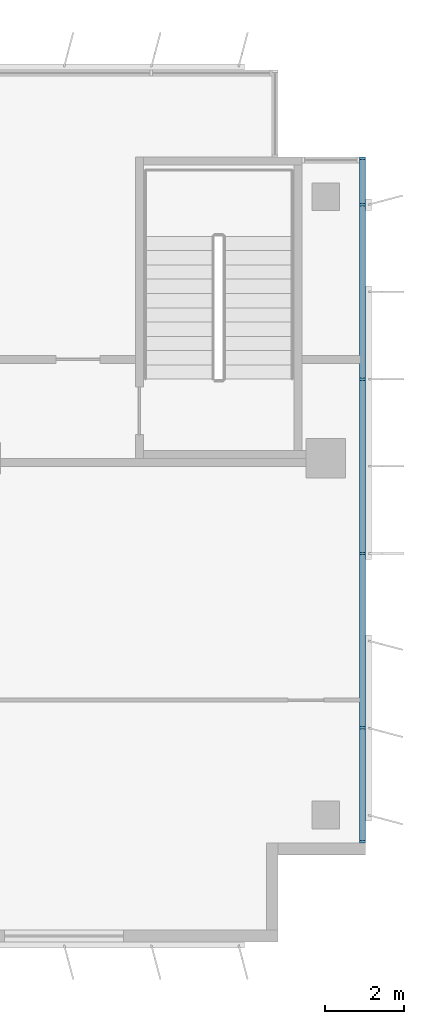
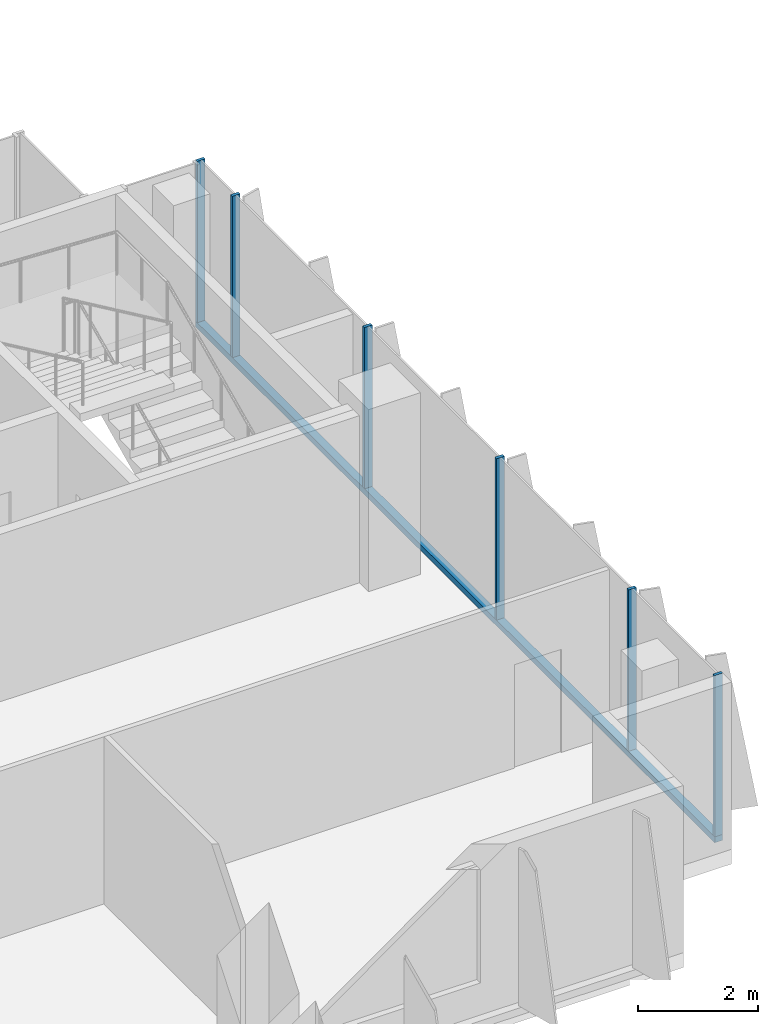
# One storey, part 8 of 21: 7 members, 1 element without a shape of its own.
"""IFC4 building model written with IfcOpenShell, lengths in metres."""

from ifc_helpers import new_model, si_unit, direction, frame, origin, origin_2d, place, context, subcontext, project, spatial, rectangle, extrude, source, transform, mapped, material, material_profile, profile_set, type_object, element, aggregate, save


model = new_model("IFC4")

# Units and contexts
model_context = context("Model", 3, precision=1e-05, world=origin(), true_north=direction((0.0, 1.0)))
body_context = subcontext(model_context, "Body", "Model", "MODEL_VIEW")
ifc_project = project(units=[si_unit("LENGTHUNIT", "METRE"), si_unit("AREAUNIT", "SQUARE_METRE"), si_unit("VOLUMEUNIT", "CUBIC_METRE"), si_unit("PLANEANGLEUNIT", "RADIAN"), si_unit("MASSUNIT", "GRAM", prefix="KILO")], contexts=[model_context])

# Site, building, storey
site_placement = place(None, origin())
site = spatial("IfcSite", under=ifc_project, at=site_placement, CompositionType="ELEMENT")
building_placement = place(site_placement, origin())
building = spatial("IfcBuilding", under=site, at=building_placement, Name="Kemantara Hotel Tower", CompositionType="ELEMENT")
storey_placement = place(building_placement, frame((0.0, 0.0, 175.300048828125)))
storey = spatial("IfcBuildingStorey", under=building, at=storey_placement, Name="L43", CompositionType="ELEMENT", Elevation=175.300048828125)

# Curtain wall, members
ifc_material_1 = material(Name="Low-E tinted double insulated glass 36 mm", Category="glass")
curtain_wall_type = type_object("IfcCurtainWallType", Name="TOWER CURTAIN WALL, FRONT FACES", PredefinedType="USERDEFINED", material=ifc_material_1)
curtain_wall_placement = place(storey_placement, origin())
curtain_wall = element("IfcCurtainWall", 1, at=curtain_wall_placement, inside=storey, type_object=curtain_wall_type, Name="CW4 L43 T3-R11-1", ObjectType="TOWER CURTAIN WALL, FRONT FACES", PredefinedType="USERDEFINED")
ifc_material_2 = material(Name="Aluminium 6063-T6 bronze anodised", Category="aluminium")
ifc_material_profile_1 = material_profile(ifc_material_2, rectangle(XDim=0.14990234375, YDim=0.1201171875, at=origin_2d()), Name="TOWER CURTAIN WALL, FRONT FACES TRANSOM")
ifc_profile_set_1 = profile_set([ifc_material_profile_1], Name="Aluminium 6063-T6 bronze anodised")
member_type_1 = type_object("IfcMemberType", Name="TOWER CURTAIN WALL, FRONT FACES TRANSOM", PredefinedType="USERDEFINED", material=ifc_profile_set_1)
member_1_placement = place(storey_placement, frame((63.52490234375, 2.5, 0.06005859375), z_axis=(0.0, 1.0, 0.0), x_axis=(-1.0, 0.0, 0.0)))
member_1 = element("IfcMember", 2, at=member_1_placement, type_object=member_type_1, Name="CW4 sill transom T3-R11-1", ObjectType="TRANSOM", PredefinedType="USERDEFINED", context=body_context, shape_type="SweptSolid", body=[
    extrude(rectangle(XDim=0.14990234375, YDim=0.1201171875, at=origin_2d()), origin(), (0.0, 0.0, 1.0), 17.300048828125),
])
ifc_material_profile_2 = material_profile(ifc_material_2, rectangle(XDim=0.14990234375, YDim=0.06005859375, at=origin_2d()), Name="TOWER CURTAIN WALL, FRONT FACES MULLION")
ifc_profile_set_2 = profile_set([ifc_material_profile_2], Name="Aluminium 6063-T6 bronze anodised")
member_type_2 = type_object("IfcMemberType", Name="TOWER CURTAIN WALL, FRONT FACES MULLION", PredefinedType="MULLION", material=ifc_profile_set_2)
shared_shape = source(origin(), body_context, "Body", "SweptSolid", [
    extrude(rectangle(XDim=0.14990234375, YDim=0.06005859375, at=origin_2d()), origin(), (0.0, 0.0, 1.0), 3.280029296875),
])
member_2_placement = place(storey_placement, frame((63.52490234375, 2.530029296875, 0.119873046875), z_axis=(0.0, 0.0, 1.0), x_axis=(-1.0, 0.0, 0.0)))
member_2 = element("IfcMember", 3, at=member_2_placement, type_object=member_type_2, Name="CW4 mullion T3-R11-1.1", PredefinedType="MULLION", context=body_context, shape_type="MappedRepresentation", body=[
    mapped(shared_shape, transform((0.0, 0.0, 0.0))),
])
member_3_placement = place(storey_placement, frame((63.52490234375, 5.39990234375, 0.119873046875), z_axis=(0.0, 0.0, 1.0), x_axis=(-1.0, 0.0, 0.0)))
member_3 = element("IfcMember", 4, at=member_3_placement, type_object=member_type_2, Name="CW4 mullion T3-R11-1.2", PredefinedType="MULLION", context=body_context, shape_type="MappedRepresentation", body=[
    mapped(shared_shape, transform((0.0, 0.0, 0.0))),
])
member_4_placement = place(storey_placement, frame((63.52490234375, 9.800048828125, 0.119873046875), z_axis=(0.0, 0.0, 1.0), x_axis=(-1.0, 0.0, 0.0)))
member_4 = element("IfcMember", 5, at=member_4_placement, type_object=member_type_2, Name="CW4 mullion T3-R11-1.3", PredefinedType="MULLION", context=body_context, shape_type="MappedRepresentation", body=[
    mapped(shared_shape, transform((0.0, 0.0, 0.0))),
])
member_5_placement = place(storey_placement, frame((63.52490234375, 14.199951171875, 0.119873046875), z_axis=(0.0, 0.0, 1.0), x_axis=(-1.0, 0.0, 0.0)))
member_5 = element("IfcMember", 6, at=member_5_placement, type_object=member_type_2, Name="CW4 mullion T3-R11-1.4", PredefinedType="MULLION", context=body_context, shape_type="MappedRepresentation", body=[
    mapped(shared_shape, transform((0.0, 0.0, 0.0))),
])
member_6_placement = place(storey_placement, frame((63.52490234375, 18.60009765625, 0.119873046875), z_axis=(0.0, 0.0, 1.0), x_axis=(-1.0, 0.0, 0.0)))
member_6 = element("IfcMember", 7, at=member_6_placement, type_object=member_type_2, Name="CW4 mullion T3-R11-1.5", PredefinedType="MULLION", context=body_context, shape_type="MappedRepresentation", body=[
    mapped(shared_shape, transform((0.0, 0.0, 0.0))),
])
member_7_placement = place(storey_placement, frame((63.52490234375, 19.77001953125, 0.119873046875), z_axis=(0.0, 0.0, 1.0), x_axis=(-1.0, 0.0, 0.0)))
member_7 = element("IfcMember", 8, at=member_7_placement, type_object=member_type_2, Name="CW4 mullion T3-R11-1.6", PredefinedType="MULLION", context=body_context, shape_type="MappedRepresentation", body=[
    mapped(shared_shape, transform((0.0, 0.0, 0.0))),
])
aggregate(curtain_wall, [member_1, member_2, member_3, member_4, member_5, member_6, member_7])

save(model, "model.ifc")
